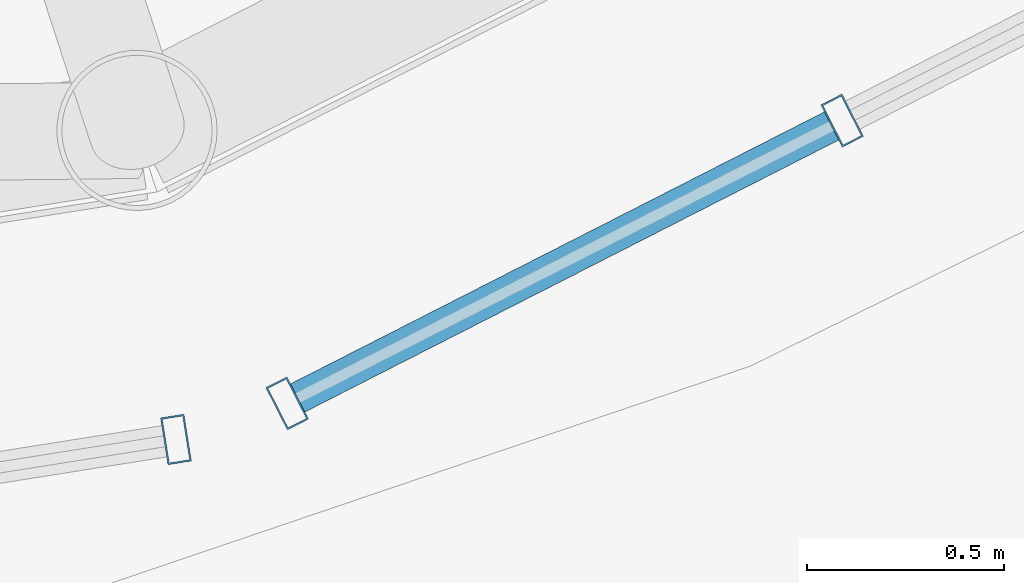
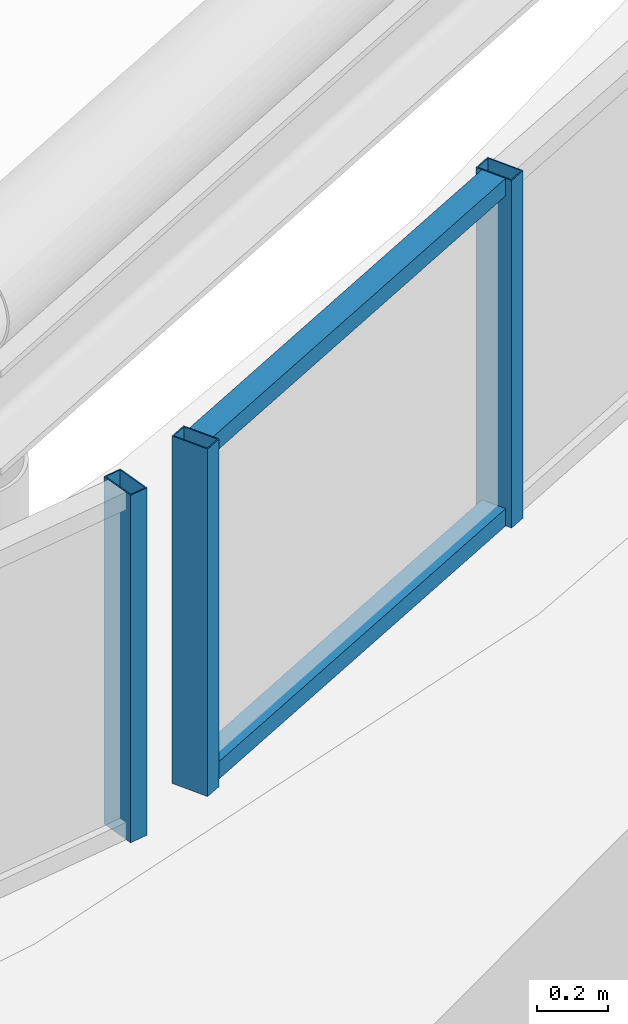
# One storey, part 17 of 69: 5 members, 2 elements without a shape of their own.
"""IFC4 building model written with IfcOpenShell, lengths in metres."""

from ifc_helpers import new_model, si_unit, direction, frame, origin, origin_2d, place, context, subcontext, project, spatial, hollow_rectangle, extrude, material, layer, layer_set, material_profile, profile_set, type_object, element, aggregate, save


model = new_model("IFC4")

# Units and contexts
model_context = context("Model", 3, precision=1e-05, world=origin(), true_north=direction((0.0, 1.0)))
body_context = subcontext(model_context, "Body", "Model", "MODEL_VIEW")
ifc_project = project(units=[si_unit("LENGTHUNIT", "METRE"), si_unit("AREAUNIT", "SQUARE_METRE"), si_unit("VOLUMEUNIT", "CUBIC_METRE"), si_unit("PLANEANGLEUNIT", "RADIAN"), si_unit("MASSUNIT", "GRAM", prefix="KILO")], contexts=[model_context])

# Site, building, storey
site_placement = place(None, origin())
site = spatial("IfcSite", under=ifc_project, at=site_placement, CompositionType="ELEMENT")
building_placement = place(site_placement, origin())
building = spatial("IfcBuilding", under=site, at=building_placement, Name="Kallimachos Central Library", CompositionType="ELEMENT")
storey_placement = place(building_placement, frame((0.0, 0.0, 23.39990234375)))
storey = spatial("IfcBuildingStorey", under=building, at=storey_placement, Name="L05", CompositionType="ELEMENT", Elevation=23.39990234375)

# Curtain wall, member
ifc_material_1 = material(Name="Anodised aluminium and laminated glass", Category="aluminium")
ifc_layer = layer(ifc_material_1, 0.159912109375)
ifc_layer_set = layer_set([ifc_layer], Name="Glass box curtain wall")
curtain_wall_type = type_object("IfcCurtainWallType", Name="Glass box curtain wall", PredefinedType="NOTDEFINED", material=ifc_layer_set)
curtain_wall_1_placement = place(storey_placement, origin())
curtain_wall_1 = element("IfcCurtainWall", 1, at=curtain_wall_1_placement, inside=storey, type_object=curtain_wall_type, Name="Drum clerestory facet 16", PredefinedType="NOTDEFINED")
ifc_material_2 = material(Name="Anodised aluminium", Category="aluminium")
ifc_material_profile_1 = material_profile(ifc_material_2, hollow_rectangle(XDim=0.06005859375, YDim=0.1201171875, WallThickness=0.00390625, at=origin_2d()), Name="ALU MULLION 60x120")
ifc_profile_set_1 = profile_set([ifc_material_profile_1], Name="Anodised aluminium")
member_type_1 = type_object("IfcMemberType", Name="Glass box mullion 60x120", PredefinedType="MULLION", material=ifc_profile_set_1)
member_1_placement = place(storey_placement, frame((92.857666015625, 88.969970703125, 0.0), z_axis=(0.0, 0.0, 1.0), x_axis=(0.987688202185, 0.156435338924, 0.0)))
member_1 = element("IfcMember", 2, at=member_1_placement, type_object=member_type_1, Name="CW50 mullion 4", PredefinedType="MULLION", context=body_context, shape_type="SweptSolid", body=[
    extrude(hollow_rectangle(XDim=0.06005859375, YDim=0.1201171875, WallThickness=0.00390625, at=origin_2d()), origin(), (0.0, 0.0, 1.0), 1.2001953125),
])
aggregate(curtain_wall_1, [member_1])

# Curtain wall, members
curtain_wall_2_placement = place(storey_placement, origin())
curtain_wall_2 = element("IfcCurtainWall", 3, at=curtain_wall_2_placement, inside=storey, type_object=curtain_wall_type, Name="Drum clerestory facet 17", PredefinedType="NOTDEFINED")
member_2_placement = place(storey_placement, frame((93.1396484375, 89.0615234375, 0.0), z_axis=(0.0, 0.0, 1.0), x_axis=(0.891006369337, 0.453990803653, 0.0)))
member_2 = element("IfcMember", 4, at=member_2_placement, type_object=member_type_1, Name="CW51 mullion 1", PredefinedType="MULLION", context=body_context, shape_type="SweptSolid", body=[
    extrude(hollow_rectangle(XDim=0.06005859375, YDim=0.1201171875, WallThickness=0.00390625, at=origin_2d()), origin(), (0.0, 0.0, 1.0), 1.2001953125),
])
member_3_placement = place(storey_placement, frame((94.546875, 89.778564453125, 0.0), z_axis=(0.0, 0.0, 1.0), x_axis=(0.891006369337, 0.453990803653, 0.0)))
member_3 = element("IfcMember", 5, at=member_3_placement, type_object=member_type_1, Name="CW51 mullion 2", PredefinedType="MULLION", context=body_context, shape_type="SweptSolid", body=[
    extrude(hollow_rectangle(XDim=0.06005859375, YDim=0.1201171875, WallThickness=0.00390625, at=origin_2d()), origin(), (0.0, 0.0, 1.0), 1.2001953125),
])
ifc_material_3 = material(Name="Anodised aluminium", Category="aluminium")
ifc_material_profile_2 = material_profile(ifc_material_3, hollow_rectangle(XDim=0.06005859375, YDim=0.080078125, WallThickness=0.00390625, at=origin_2d()), Name="ALU TRANSOM 60x80")
ifc_profile_set_2 = profile_set([ifc_material_profile_2], Name="Anodised aluminium")
member_type_2 = type_object("IfcMemberType", Name="Glass box transom 60x80", PredefinedType="USERDEFINED", material=ifc_profile_set_2)
member_4_placement = place(storey_placement, frame((93.166259765625, 89.0751953125, 0.030029296875), z_axis=(0.891027233573, 0.453949852992, 0.0), x_axis=(0.0, 0.0, 1.0)))
member_4 = element("IfcMember", 6, at=member_4_placement, type_object=member_type_2, Name="CW51 transom 1.1", ObjectType="TRANSOM", PredefinedType="USERDEFINED", context=body_context, shape_type="SweptSolid", body=[
    extrude(hollow_rectangle(XDim=0.06005859375, YDim=0.080078125, WallThickness=0.00390625, at=origin_2d()), origin(), (0.0, 0.0, 1.0), 1.519287109375),
])
member_5_placement = place(storey_placement, frame((93.166259765625, 89.0751953125, 1.170166015625), z_axis=(0.891027233573, 0.453949852992, 0.0), x_axis=(0.0, 0.0, 1.0)))
member_5 = element("IfcMember", 7, at=member_5_placement, type_object=member_type_2, Name="CW51 transom 1.2", ObjectType="TRANSOM", PredefinedType="USERDEFINED", context=body_context, shape_type="SweptSolid", body=[
    extrude(hollow_rectangle(XDim=0.06005859375, YDim=0.080078125, WallThickness=0.00390625, at=origin_2d()), origin(), (0.0, 0.0, 1.0), 1.519287109375),
])
aggregate(curtain_wall_2, [member_2, member_3, member_4, member_5])

save(model, "model.ifc")
